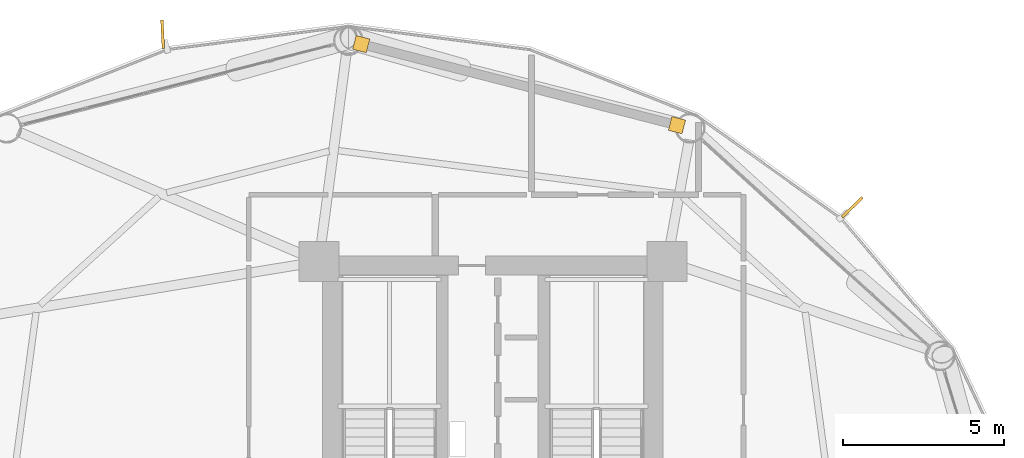
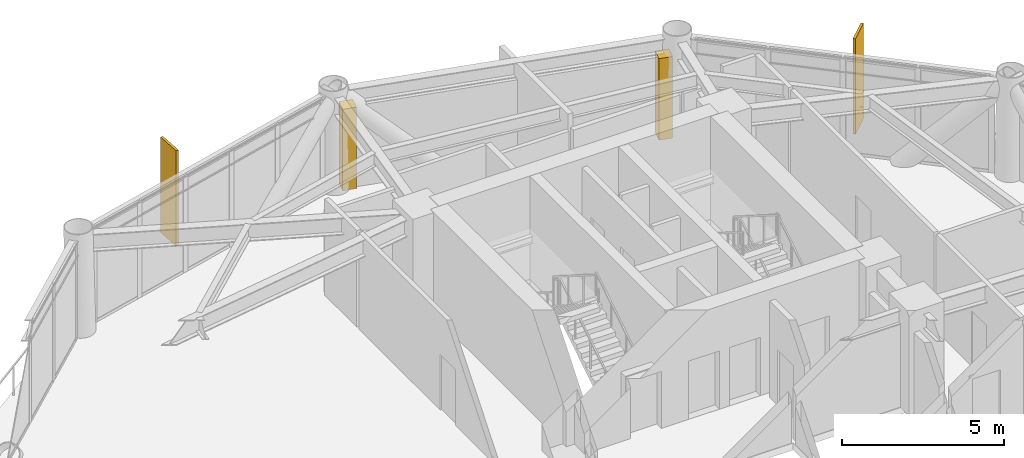
# One storey, part 25 of 25: 2 coverings, 2 shading devices.
"""IFC4 building model written with IfcOpenShell, lengths in metres."""

import ifcopenshell
import ifcopenshell.guid

model = None  # the IFC model being written
_history = None  # IfcOwnerHistory: only IFC2X3 demands one
_inside = {}  # id of a spatial element -> (the spatial element, [elements in it])
_under = {}  # id of a project, library or spatial element -> (it, [spatial elements below it])
_declared = {}  # id of a project -> (the project, [libraries it declares])
_typed = {}  # id of a type object -> (the type object, [elements of that type])
_made_of = {}  # id of a material, layer set ... -> (it, [elements and type objects made of it])


def new_model(schema):
    """Start an empty IFC model of exactly this schema.

    Asked for "IFC4X3", IfcOpenShell would pick the latest addendum, in which some entities
    have other attributes; the version numbers below select the first issue.
    IFC2X3 requires an IfcOwnerHistory on every rooted entity: one is made here for all.
    """
    global model, _history
    if schema == "IFC4X3":
        model = ifcopenshell.file(schema_version=(4, 3, 0, 0))
    else:
        model = ifcopenshell.file(schema=schema)
    _inside.clear()
    _under.clear()
    _declared.clear()
    _typed.clear()
    _made_of.clear()
    _history = None
    if model.schema == "IFC2X3":
        org = make("IfcOrganization", Name="unknown")
        user = make(
            "IfcPersonAndOrganization",
            ThePerson=make("IfcPerson", FamilyName="unknown"),
            TheOrganization=org,
        )
        app = make(
            "IfcApplication",
            ApplicationDeveloper=org,
            Version="unknown",
            ApplicationFullName="unknown",
            ApplicationIdentifier="unknown",
        )
        _history = make(
            "IfcOwnerHistory",
            OwningUser=user,
            OwningApplication=app,
            ChangeAction="ADDED",
            CreationDate=0,
        )
    return model


def make(cls, **values):
    """One entity of the class cls with the attributes given. An attribute that is None is left unset."""
    return model.create_entity(
        cls, **{name: value for name, value in values.items() if value is not None}
    )


def rooted(cls, **values):
    """An entity with a GlobalId (a new one), such as an element, a storey or a relation."""
    return make(cls, GlobalId=ifcopenshell.guid.new(), OwnerHistory=_history, **values)


def si_unit(unit_type, name, prefix=None):
    """IfcSIUnit, for example si_unit("LENGTHUNIT", "METRE", prefix="MILLI")."""
    return make("IfcSIUnit", UnitType=unit_type, Prefix=prefix, Name=name)


def assignment(units):
    """IfcUnitAssignment: the units of a project."""
    return None if units is None else make("IfcUnitAssignment", Units=units)


def point(xyz):
    """IfcCartesianPoint."""
    return None if xyz is None else make("IfcCartesianPoint", Coordinates=xyz)


def direction(xyz):
    """IfcDirection."""
    return None if xyz is None else make("IfcDirection", DirectionRatios=xyz)


def frame(location, z_axis=None, x_axis=None):
    """IfcAxis2Placement3D, a coordinate frame: its origin and axes. An axis left out is left unset."""
    return make(
        "IfcAxis2Placement3D",
        Location=point(location),
        Axis=direction(z_axis),
        RefDirection=direction(x_axis),
    )


def frame_2d(location, x_axis=None):
    """IfcAxis2Placement2D, a coordinate frame in the plane: its origin and x axis."""
    return make(
        "IfcAxis2Placement2D", Location=point(location), RefDirection=direction(x_axis)
    )


def origin():
    """The frame at (0, 0, 0) with its axes left unset."""
    return frame((0.0, 0.0, 0.0))


def origin_2d():
    """The frame at (0, 0) in the plane with its x axis left unset."""
    return frame_2d((0.0, 0.0))


def place(relative_to, where):
    """IfcLocalPlacement: puts the frame where relative to a parent placement (None: the world)."""
    return make(
        "IfcLocalPlacement", PlacementRelTo=relative_to, RelativePlacement=where
    )


def context(
    kind, dimensions, precision=None, world=None, true_north=None, identifier=None
):
    """IfcGeometricRepresentationContext, for example the 3D "Model" context."""
    return make(
        "IfcGeometricRepresentationContext",
        ContextIdentifier=identifier,
        ContextType=kind,
        CoordinateSpaceDimension=dimensions,
        Precision=precision,
        WorldCoordinateSystem=world,
        TrueNorth=true_north,
    )


def subcontext(parent, identifier, kind, view, scale=None):
    """IfcGeometricRepresentationSubContext, for example "Body" below "Model"."""
    return make(
        "IfcGeometricRepresentationSubContext",
        ContextIdentifier=identifier,
        ContextType=kind,
        ParentContext=parent,
        TargetScale=scale,
        TargetView=view,
    )


def project(units=None, contexts=None):
    """IfcProject with its units and contexts."""
    return rooted(
        "IfcProject",
        Name="project",
        RepresentationContexts=contexts,
        UnitsInContext=assignment(units),
    )


def spatial(cls, under=None, at=None, **own):
    """A site, building, storey or space (cls), placed at a placement, below another one or the project."""
    s = rooted(cls, ObjectPlacement=at, **own)
    if under is not None:
        _under.setdefault(under.id(), (under, []))[1].append(s)
    return s


def profile(cls, at=None, kind="AREA", **sizes):
    """A parametric profile (cls). Its sizes go by their IFC names, for example OverallWidth=200.0."""
    return make(cls, ProfileType=kind, Position=at, **sizes)


def rectangle(**sizes):
    """IfcRectangleProfileDef."""
    return profile("IfcRectangleProfileDef", **sizes)


def extrude(swept, where, along, depth):
    """IfcExtrudedAreaSolid: the profile swept, set in the frame where, extruded along a direction by depth."""
    return make(
        "IfcExtrudedAreaSolid",
        SweptArea=swept,
        Position=where,
        ExtrudedDirection=direction(along),
        Depth=depth,
    )


def shape(context_of_items, identifier, shape_type, items):
    """IfcShapeRepresentation: the items that make up one representation, for example the "Body"."""
    return make(
        "IfcShapeRepresentation",
        ContextOfItems=context_of_items,
        RepresentationIdentifier=identifier,
        RepresentationType=shape_type,
        Items=items,
    )


def source(mapping_origin, context_of_items, identifier, shape_type, items):
    """IfcRepresentationMap: a shape defined once, which mapped items show again and again."""
    return make(
        "IfcRepresentationMap",
        MappingOrigin=mapping_origin,
        MappedRepresentation=shape(context_of_items, identifier, shape_type, items),
    )


def transform(
    local_origin,
    x_axis=None,
    y_axis=None,
    z_axis=None,
    scale=None,
    scale2=None,
    scale3=None,
    uniform=True,
):
    """IfcCartesianTransformationOperator3D, or its non-uniform kind. x_axis, y_axis, z_axis: its Axis1, 2, 3."""
    if uniform:
        return make(
            "IfcCartesianTransformationOperator3D",
            Axis1=direction(x_axis),
            Axis2=direction(y_axis),
            LocalOrigin=point(local_origin),
            Scale=scale,
            Axis3=direction(z_axis),
        )
    return make(
        "IfcCartesianTransformationOperator3DnonUniform",
        Axis1=direction(x_axis),
        Axis2=direction(y_axis),
        LocalOrigin=point(local_origin),
        Scale=scale,
        Axis3=direction(z_axis),
        Scale2=scale2,
        Scale3=scale3,
    )


def mapped(mapping_source, mapping_target):
    """IfcMappedItem: shows the shape of a source again, moved by a transform."""
    return make(
        "IfcMappedItem", MappingSource=mapping_source, MappingTarget=mapping_target
    )


def material(Name=None, Category=None):
    """IfcMaterial."""
    return make("IfcMaterial", Name=Name, Category=Category)


def layer(
    of_material, thickness, ventilated=None, Name=None, Category=None, Priority=None
):
    """IfcMaterialLayer: one layer of a wall or slab, of a material (None: an air gap)."""
    return make(
        "IfcMaterialLayer",
        Material=of_material,
        LayerThickness=thickness,
        IsVentilated=ventilated,
        Name=Name,
        Category=Category,
        Priority=Priority,
    )


def layer_set(layers, Name=None):
    """IfcMaterialLayerSet."""
    return make("IfcMaterialLayerSet", MaterialLayers=layers, LayerSetName=Name)


def made_of(thing, what):
    """Note that an element or type object is made of a material, layer set ...; save() writes the relation."""
    if what is not None:
        _made_of.setdefault(what.id(), (what, []))[1].append(thing)
    return thing


def type_object(cls, material=None, **own):
    """A type object (cls), such as IfcWallType, which elements share."""
    return made_of(rooted(cls, **own), material)


def type_shapes(of_type, sources):
    """Give a type object the sources (RepresentationMaps) that its elements show as mapped items."""
    of_type.RepresentationMaps = sources


def element(
    cls,
    number,
    at=None,
    inside=None,
    cuts=None,
    type_object=None,
    material=None,
    context=None,
    identifier="Body",
    shape_type=None,
    held_by="IfcProductDefinitionShape",
    body=None,
    shapes=None,
    **own,
):
    """One element of the class cls, such as IfcWall. Its Tag is "e" and its number.

    at: its placement. inside: the storey or other place that contains it. cuts: it is an
    opening in that element (IfcRelVoidsElement). A single representation is given by context,
    identifier, shape_type and body (its items); several are given by shapes. held_by: the class
    of the entity that holds the representations. save() writes the other relations.
    """
    e = rooted(cls, Tag="e%d" % number, ObjectPlacement=at, **own)
    if body is not None:
        shapes = [shape(context, identifier, shape_type, body)]
    if shapes is not None:
        e.Representation = make(held_by, Representations=shapes)
    if inside is not None:
        _inside.setdefault(inside.id(), (inside, []))[1].append(e)
    if cuts is not None:
        rooted(
            "IfcRelVoidsElement", RelatingBuildingElement=cuts, RelatedOpeningElement=e
        )
    if type_object is not None:
        _typed.setdefault(type_object.id(), (type_object, []))[1].append(e)
    return made_of(e, material)


def aggregate(whole, parts):
    """IfcRelAggregates: a whole, such as a stair, and the parts it consists of."""
    return rooted("IfcRelAggregates", RelatingObject=whole, RelatedObjects=parts)


def save(model, path):
    """Write the relations noted so far, then the file.

    IfcRelAggregates (storeys below a building ...), IfcRelContainedInSpatialStructure (elements
    in a storey), IfcRelDefinesByType, IfcRelAssociatesMaterial and IfcRelDeclares: one each for
    every whole, place, type object, material and project.
    """
    for whole, parts in _under.values():
        aggregate(whole, parts)
    for where, things in _inside.values():
        rooted(
            "IfcRelContainedInSpatialStructure",
            RelatedElements=things,
            RelatingStructure=where,
        )
    for kind, things in _typed.values():
        rooted("IfcRelDefinesByType", RelatedObjects=things, RelatingType=kind)
    for what, things in _made_of.values():
        rooted("IfcRelAssociatesMaterial", RelatedObjects=things, RelatingMaterial=what)
    for by, libraries in _declared.values():
        rooted("IfcRelDeclares", RelatingContext=by, RelatedDefinitions=libraries)
    model.write(path)


model = new_model("IFC4")

# Units and contexts
model_context = context("Model", 3, precision=1e-05, world=origin(), true_north=direction((0.0, 1.0)))
body_context = subcontext(model_context, "Body", "Model", "MODEL_VIEW")
ifc_project = project(units=[si_unit("LENGTHUNIT", "METRE"), si_unit("AREAUNIT", "SQUARE_METRE"), si_unit("VOLUMEUNIT", "CUBIC_METRE"), si_unit("PLANEANGLEUNIT", "RADIAN"), si_unit("MASSUNIT", "GRAM", prefix="KILO")], contexts=[model_context])

# Site, building, storey
site_placement = place(None, origin())
site = spatial("IfcSite", under=ifc_project, at=site_placement, CompositionType="ELEMENT")
building_placement = place(site_placement, origin())
building = spatial("IfcBuilding", under=site, at=building_placement, Name="Varnakorn Sky Granary", CompositionType="ELEMENT")
storey_placement = place(building_placement, frame((0.0, 0.0, 58.800048828125)))
storey = spatial("IfcBuildingStorey", under=building, at=storey_placement, Name="L14", CompositionType="ELEMENT", Elevation=58.800048828125)

# Shading devices
ifc_material = material(Name="Anodised Bronze Aluminium Alloy 6063-T6", Category="aluminium")
shading_device_type = type_object("IfcShadingDeviceType", Name="SH-FIN-01", PredefinedType="USERDEFINED", material=ifc_material)
shared_shape_1 = source(origin(), body_context, "Body", "SweptSolid", [
    extrude(rectangle(XDim=0.0849609375, YDim=0.8798828125, at=origin_2d()), origin(), (0.0, 0.0, 1.0), 3.60009765625),
])
type_shapes(shading_device_type, [shared_shape_1])
for number, where, z_axis, x_axis, name in (
    (1, (14.1845703125, 14.308837890625, -0.0400390625), (0.0, 0.0, 1.0), (-0.692627232972, 0.721295720316, 0.0), "Bronze Solar-Tracking Vertical Blade FIN L14-02"),
    (2, (-7.28173828125, 19.69677734375, -0.0400390625), (0.0, 0.0, 1.0), (-0.998721510407, -0.050550416919, 0.0), "Bronze Solar-Tracking Vertical Blade FIN L14-04"),
):
    element("IfcShadingDevice", number, at=place(storey_placement, frame(where, z_axis=z_axis, x_axis=x_axis)), inside=storey, type_object=shading_device_type, Name=name, ObjectType="FIN", PredefinedType="USERDEFINED", context=body_context, shape_type="MappedRepresentation", body=[
        mapped(shared_shape_1, transform((0.0, 0.0, 0.0), x_axis=(1.0, 0.0, 0.0), y_axis=(0.0, 1.0, 0.0), z_axis=(0.0, 0.0, 1.0), scale=1.0)),
    ])

# Coverings
ifc_layer = layer(ifc_material, 0.050048828125, Name="Anodised Bronze Aluminium Alloy 6063-T6")
ifc_layer_set = layer_set([ifc_layer], Name="Anodised Bronze Aluminium Alloy 6063-T6")
covering_type = type_object("IfcCoveringType", Name="CV-CLAD-50", PredefinedType="CLADDING", material=ifc_layer_set)
shared_shape_2 = source(origin(), body_context, "Body", "SweptSolid", [
    extrude(rectangle(XDim=0.43994140625, YDim=0.43994140625, at=origin_2d()), origin(), (0.0, 0.0, 1.0), 3.080078125),
])
type_shapes(covering_type, [shared_shape_2])
for number, where, z_axis, x_axis, name in (
    (3, (-1.100830078125, 19.3876953125, -0.02001953125), (0.0, 0.0, 1.0), (0.968583161129, -0.248689887165, 0.0), "Bronze Corner Pilaster Closure L14-P03-A"),
    (4, (8.727294921875, 16.8642578125, -0.02001953125), (0.0, 0.0, 1.0), (0.968583161129, -0.248689887165, 0.0), "Bronze Corner Pilaster Closure L14-P03-B"),
):
    element("IfcCovering", number, at=place(storey_placement, frame(where, z_axis=z_axis, x_axis=x_axis)), inside=storey, type_object=covering_type, Name=name, PredefinedType="CLADDING", context=body_context, shape_type="MappedRepresentation", body=[
        mapped(shared_shape_2, transform((0.0, 0.0, 0.0), x_axis=(1.0, 0.0, 0.0), y_axis=(0.0, 1.0, 0.0), z_axis=(0.0, 0.0, 1.0), scale=1.0)),
    ])

save(model, "model.ifc")
